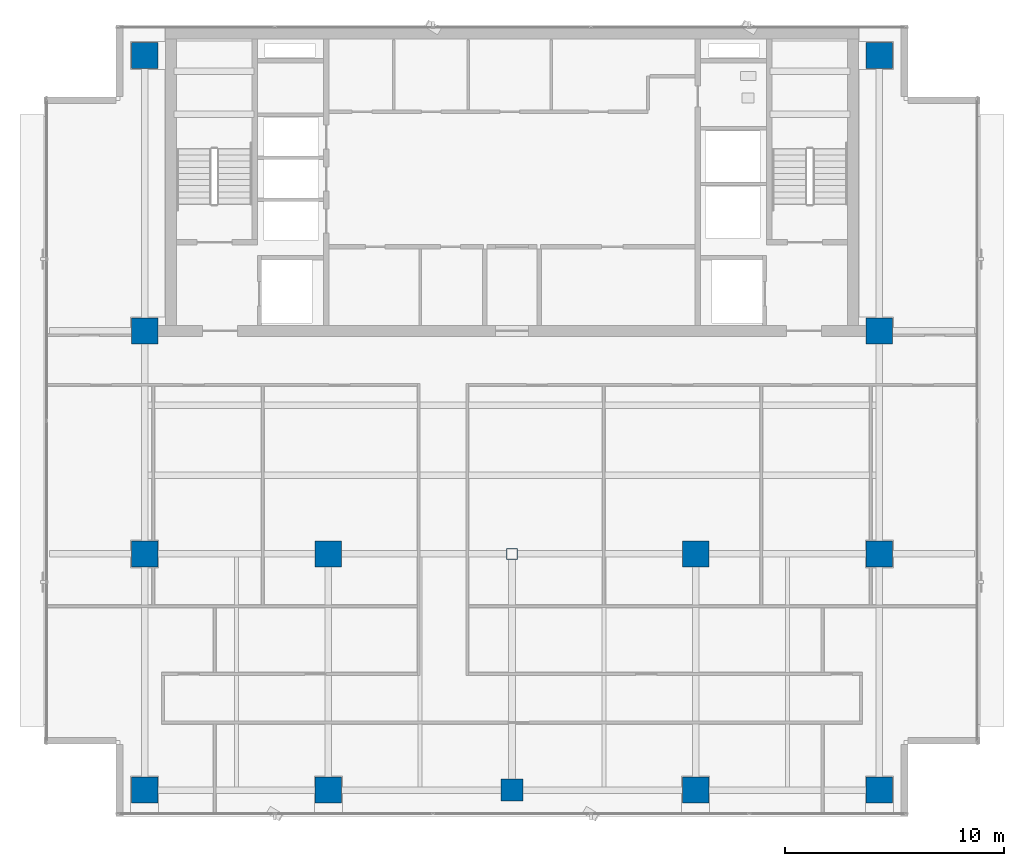
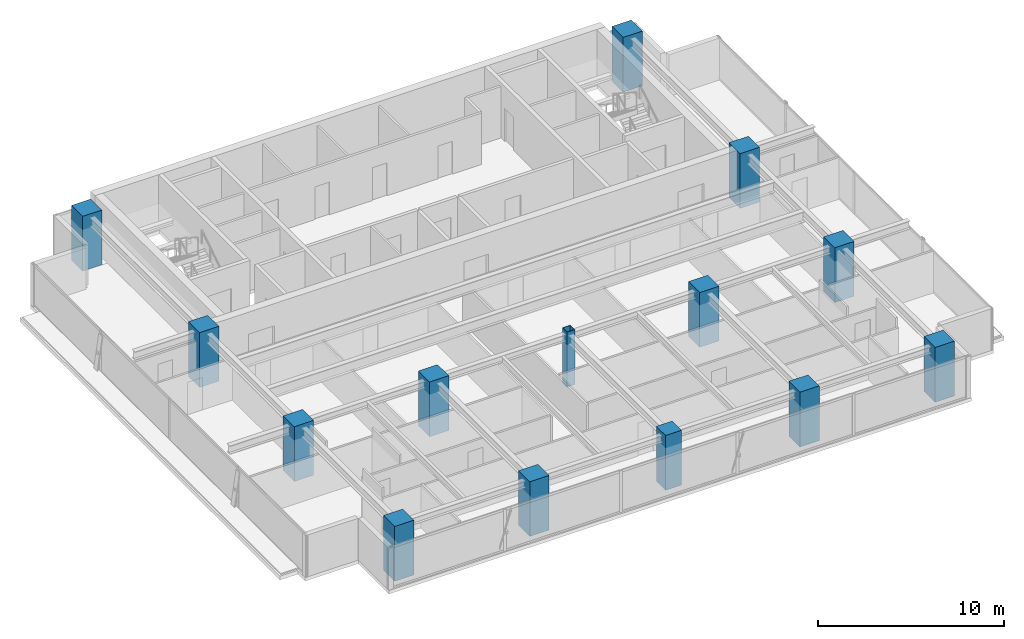
# One storey, part 1 of 22: 14 columns.
"""IFC4 building model written with IfcOpenShell, lengths in metres."""

from ifc_helpers import new_model, si_unit, direction, frame, origin, origin_with_axes, origin_2d, place, context, subcontext, project, spatial, rectangle, hollow_rectangle, extrude, source, transform, mapped, material, material_profile, profile_set, type_object, element, save


model = new_model("IFC4")

# Units and contexts
model_context = context("Model", 3, precision=1e-05, world=origin(), true_north=direction((0.0, 1.0)))
body_context = subcontext(model_context, "Body", "Model", "MODEL_VIEW")
ifc_project = project(units=[si_unit("LENGTHUNIT", "METRE"), si_unit("AREAUNIT", "SQUARE_METRE"), si_unit("VOLUMEUNIT", "CUBIC_METRE"), si_unit("PLANEANGLEUNIT", "RADIAN"), si_unit("MASSUNIT", "GRAM", prefix="KILO")], contexts=[model_context])

# Site, building, storey
site_placement = place(None, origin())
site = spatial("IfcSite", under=ifc_project, at=site_placement, CompositionType="ELEMENT")
building_placement = place(site_placement, origin())
building = spatial("IfcBuilding", under=site, at=building_placement, Name="Sumidabori Civic Tower", CompositionType="ELEMENT")
storey_placement = place(building_placement, frame((0.0, 0.0, 272.0)))
storey = spatial("IfcBuildingStorey", under=building, at=storey_placement, Name="L71", CompositionType="ELEMENT", Elevation=272.0)

# Columns
ifc_material_1 = material(Name="Concrete C50/60", Category="concrete")
ifc_material_profile_1 = material_profile(ifc_material_1, rectangle(XDim=1.0, YDim=1.0, at=origin_2d()), Name="RC 1000x1000")
ifc_profile_set_1 = profile_set([ifc_material_profile_1], Name="Concrete C50/60")
column_type_1 = type_object("IfcColumnType", Name="CL-INT-1000", PredefinedType="COLUMN", material=ifc_profile_set_1)
shared_shape_1 = source(origin(), body_context, "Body", "SweptSolid", [
    extrude(rectangle(XDim=1.0, YDim=1.0, at=origin_2d()), origin(), (0.0, 0.0, 1.0), 3.60009765625),
])
column_1_placement = place(storey_placement, frame((0.0, -10.800048828125, 0.0), z_axis=(0.0, 0.0, 1.0), x_axis=(1.0, 0.0, 0.0)))
element("IfcColumn", 1, at=column_1_placement, inside=storey, type_object=column_type_1, Name="Column MC-C00-Y11S L71", PredefinedType="COLUMN", context=body_context, shape_type="MappedRepresentation", body=[
    mapped(shared_shape_1, transform((0.0, 0.0, 0.0), x_axis=(1.0, 0.0, 0.0), y_axis=(0.0, 1.0, 0.0), z_axis=(0.0, 0.0, 1.0), scale=1.0)),
])
ifc_material_profile_2 = material_profile(ifc_material_1, rectangle(XDim=1.199951171875, YDim=1.199951171875, at=origin_2d()), Name="RC 1200x1200")
ifc_profile_set_2 = profile_set([ifc_material_profile_2], Name="Concrete C50/60")
column_type_2 = type_object("IfcColumnType", Name="CL-MEGA-1200", PredefinedType="COLUMN", material=ifc_profile_set_2)
shared_shape_2 = source(origin(), body_context, "Body", "SweptSolid", [
    extrude(rectangle(XDim=1.199951171875, YDim=1.199951171875, at=origin_2d()), origin(), (0.0, 0.0, 1.0), 3.60009765625),
])
for number, where, z_axis, x_axis, name in (
    (2, (-16.800048828125, -10.800048828125, 0.0), (0.0, 0.0, 1.0), (1.0, 0.0, 0.0), "Column MC-W16-Y11S L71"),
    (3, (-16.800048828125, 0.0, 0.0), (0.0, 0.0, 1.0), (1.0, 0.0, 0.0), "Column MC-W16-Y00 L71"),
    (4, (-16.800048828125, 10.199951171875, 0.0), (0.0, 0.0, 1.0), (1.0, 0.0, 0.0), "Column MC-W16-Y10N L71"),
    (5, (-16.800048828125, 22.800048828125, 0.0), (0.0, 0.0, 1.0), (1.0, 0.0, 0.0), "Column MC-W16-Y23N L71"),
    (6, (16.800048828125, -10.800048828125, 0.0), (0.0, 0.0, 1.0), (1.0, 0.0, 0.0), "Column MC-E16-Y11S L71"),
    (7, (16.800048828125, 0.0, 0.0), (0.0, 0.0, 1.0), (1.0, 0.0, 0.0), "Column MC-E16-Y00 L71"),
    (8, (16.800048828125, 10.199951171875, 0.0), (0.0, 0.0, 1.0), (1.0, 0.0, 0.0), "Column MC-E16-Y10N L71"),
    (9, (16.800048828125, 22.800048828125, 0.0), (0.0, 0.0, 1.0), (1.0, 0.0, 0.0), "Column MC-E16-Y23N L71"),
    (10, (-8.39990234375, 0.0, 0.0), (0.0, 0.0, 1.0), (1.0, 0.0, 0.0), "Column MC-W08-Y00 L71"),
    (11, (-8.39990234375, -10.800048828125, 0.0), (0.0, 0.0, 1.0), (1.0, 0.0, 0.0), "Column MC-W08-Y11S L71"),
    (12, (8.39990234375, 0.0, 0.0), (0.0, 0.0, 1.0), (1.0, 0.0, 0.0), "Column MC-E08-Y00 L71"),
    (13, (8.39990234375, -10.800048828125, 0.0), (0.0, 0.0, 1.0), (1.0, 0.0, 0.0), "Column MC-E08-Y11S L71"),
):
    element("IfcColumn", number, at=place(storey_placement, frame(where, z_axis=z_axis, x_axis=x_axis)), inside=storey, type_object=column_type_2, Name=name, PredefinedType="COLUMN", context=body_context, shape_type="MappedRepresentation", body=[
        mapped(shared_shape_2, transform((0.0, 0.0, 0.0), x_axis=(1.0, 0.0, 0.0), y_axis=(0.0, 1.0, 0.0), z_axis=(0.0, 0.0, 1.0), scale=1.0)),
    ])
ifc_material_2 = material(Name="Steel SN490", Category="steel")
ifc_material_profile_3 = material_profile(ifc_material_2, hollow_rectangle(XDim=0.5, YDim=0.5, WallThickness=0.02490234375, at=origin_2d()), Name="SHS 500x500x25")
ifc_profile_set_3 = profile_set([ifc_material_profile_3], Name="Steel SN490")
column_type_3 = type_object("IfcColumnType", Name="CL-CRN-SHS500", PredefinedType="COLUMN", material=ifc_profile_set_3)
shared_shape_3 = source(origin(), body_context, "Body", "SweptSolid", [
    extrude(hollow_rectangle(XDim=0.5, YDim=0.5, WallThickness=0.02490234375, at=origin_2d()), origin(), (0.0, 0.0, 1.0), 3.60009765625),
])
column_2_placement = place(storey_placement, origin_with_axes())
element("IfcColumn", 14, at=column_2_placement, inside=storey, type_object=column_type_3, Name="Column MC-C00-Y00 L71", PredefinedType="COLUMN", context=body_context, shape_type="MappedRepresentation", body=[
    mapped(shared_shape_3, transform((0.0, 0.0, 0.0), x_axis=(1.0, 0.0, 0.0), y_axis=(0.0, 1.0, 0.0), z_axis=(0.0, 0.0, 1.0), scale=1.0)),
])

save(model, "model.ifc")
